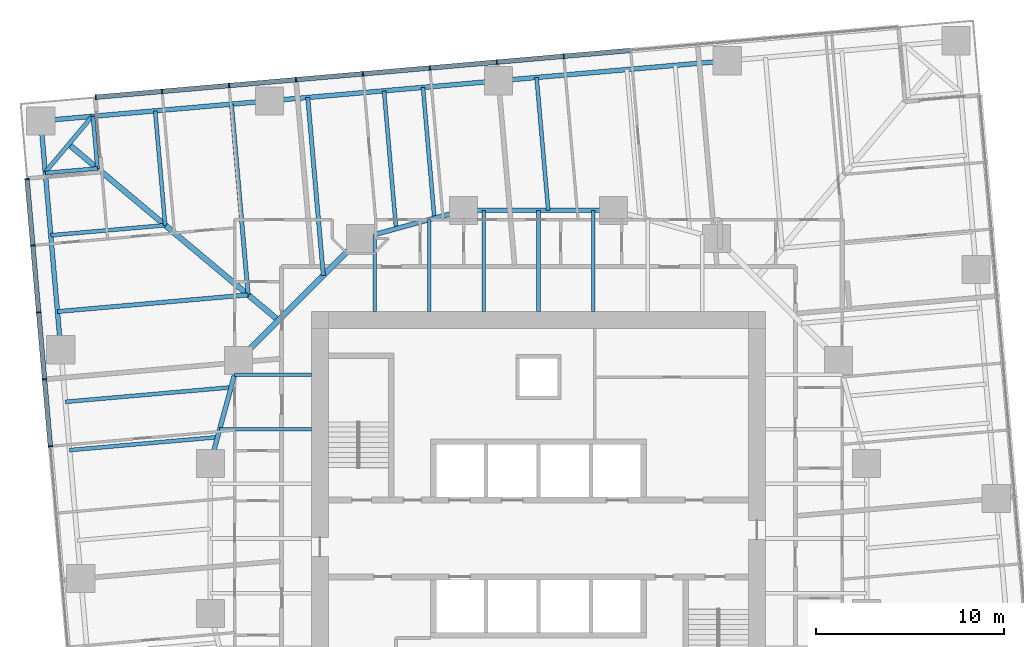
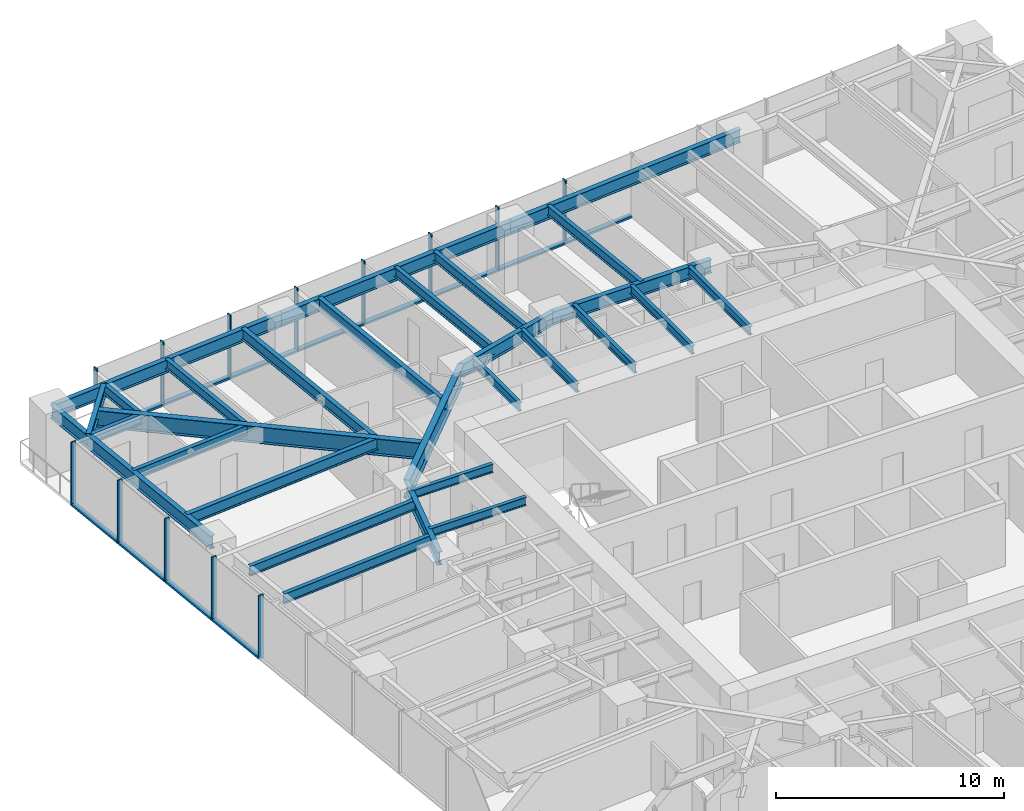
# One storey, part 5 of 14: 29 beams, 25 members, 2 elements without a shape of their own.
"""IFC4 building model written with IfcOpenShell, lengths in metres."""

from ifc_helpers import new_model, si_unit, direction, frame, origin, origin_2d, place, context, subcontext, project, spatial, rectangle, i_section, extrude, material, material_profile, profile_set, type_object, element, aggregate, save


model = new_model("IFC4")

# Units and contexts
model_context = context("Model", 3, precision=1e-05, world=origin(), true_north=direction((0.0, 1.0)))
body_context = subcontext(model_context, "Body", "Model", "MODEL_VIEW")
ifc_project = project(units=[si_unit("LENGTHUNIT", "METRE"), si_unit("AREAUNIT", "SQUARE_METRE"), si_unit("VOLUMEUNIT", "CUBIC_METRE"), si_unit("PLANEANGLEUNIT", "RADIAN"), si_unit("MASSUNIT", "GRAM", prefix="KILO")], contexts=[model_context])

# Site, building, storey
site_placement = place(None, origin())
site = spatial("IfcSite", under=ifc_project, at=site_placement, CompositionType="ELEMENT")
building_placement = place(site_placement, origin())
building = spatial("IfcBuilding", under=site, at=building_placement, Name="Torsade Residences", CompositionType="ELEMENT")
storey_placement = place(building_placement, frame((0.0, 0.0, 60.800048828125)))
storey = spatial("IfcBuildingStorey", under=building, at=storey_placement, Name="L16", CompositionType="ELEMENT", Elevation=60.800048828125)

# Beams
ifc_material_1 = material(Name="Steel grade 300", Category="steel")
ifc_material_profile_1 = material_profile(ifc_material_1, i_section(OverallWidth=0.300048828125, OverallDepth=0.89990234375, WebThickness=0.011962890625, FlangeThickness=0.02490234375, at=origin_2d()), Name="900WB175")
ifc_profile_set_1 = profile_set([ifc_material_profile_1], Name="Steel grade 300")
beam_type_1 = type_object("IfcBeamType", Name="CORNER GIRDER 900WB175", PredefinedType="BEAM", material=ifc_profile_set_1)
beam_1_placement = place(storey_placement, frame((14.947509765625, 51.021484375, 2.800048828125), z_axis=(0.766046281307, -0.642785419012, 0.0), x_axis=(0.642785419012, 0.766046281307, 0.0)))
element("IfcBeam", 1, at=beam_1_placement, inside=storey, type_object=beam_type_1, Name="Corner girder 13 L17", PredefinedType="BEAM", context=body_context, shape_type="SweptSolid", body=[
    extrude(i_section(OverallWidth=0.300048828125, OverallDepth=0.89990234375, WebThickness=0.011962890625, FlangeThickness=0.02490234375, at=origin_2d()), origin(), (0.0, 0.0, 1.0), 14.603515625),
])
ifc_material_2 = material(Name="Steel grade 300", Category="steel")
ifc_material_profile_2 = material_profile(ifc_material_2, i_section(OverallWidth=0.22802734375, OverallDepth=0.60205078125, WebThickness=0.010498046875, FlangeThickness=0.014892578125, FilletRadius=0.013916015625, at=origin_2d()), Name="610UB101")
ifc_profile_set_2 = profile_set([ifc_material_profile_2], Name="Steel grade 300")
beam_type_2 = type_object("IfcBeamType", Name="CORNER TRIMMER 610UB101", PredefinedType="BEAM", material=ifc_profile_set_2)
beam_2_placement = place(storey_placement, frame((13.697509765625, 49.531982421875, 2.948974609375), z_axis=(0.642804819911, 0.766030001697, 0.0), x_axis=(-0.766030001697, 0.642804819911, 0.0)))
element("IfcBeam", 2, at=beam_2_placement, inside=storey, type_object=beam_type_2, Name="Corner trimmer 13 L17", PredefinedType="BEAM", context=body_context, shape_type="SweptSolid", body=[
    extrude(i_section(OverallWidth=0.22802734375, OverallDepth=0.60205078125, WebThickness=0.010498046875, FlangeThickness=0.014892578125, FilletRadius=0.013916015625, at=origin_2d()), origin(), (0.0, 0.0, 1.0), 3.88916015625),
])

# Curtain wall, members
ifc_material_3 = material(Name="Aluminium and glass", Category="aluminium")
curtain_wall_type = type_object("IfcCurtainWallType", Name="FRITTED GLASS CURTAIN WALL LOW ZONE", PredefinedType="NOTDEFINED", material=ifc_material_3)
curtain_wall_1_placement = place(storey_placement, origin())
curtain_wall_1 = element("IfcCurtainWall", 3, at=curtain_wall_1_placement, inside=storey, type_object=curtain_wall_type, Name="Curtain wall L16 face 7", PredefinedType="NOTDEFINED")
ifc_material_4 = material(Name="Aluminium mullion", Category="aluminium")
ifc_material_profile_3 = material_profile(ifc_material_4, rectangle(XDim=0.25, YDim=0.06494140625, at=origin_2d()), Name="CURTAIN WALL MULLION 250x65")
ifc_profile_set_3 = profile_set([ifc_material_profile_3], Name="Aluminium mullion")
member_type_1 = type_object("IfcMemberType", Name="CURTAIN WALL MULLION 250x65", PredefinedType="MULLION", material=ifc_profile_set_3)
member_1_placement = place(storey_placement, frame((41.34716796875, 55.71533203125, 0.0), z_axis=(0.0, 0.0, 1.0), x_axis=(0.087155744208, -0.996194697964, 0.0)))
member_1 = element("IfcMember", 4, at=member_1_placement, type_object=member_type_1, Name="Mullion 6", PredefinedType="MULLION", context=body_context, shape_type="SweptSolid", body=[
    extrude(rectangle(XDim=0.25, YDim=0.06494140625, at=origin_2d()), origin(), (0.0, 0.0, 1.0), 3.39990234375),
])
member_2_placement = place(storey_placement, frame((37.777587890625, 55.403076171875, 0.0), z_axis=(0.0, 0.0, 1.0), x_axis=(0.087155744208, -0.996194697964, 0.0)))
member_2 = element("IfcMember", 5, at=member_2_placement, type_object=member_type_1, Name="Mullion 7", PredefinedType="MULLION", context=body_context, shape_type="SweptSolid", body=[
    extrude(rectangle(XDim=0.25, YDim=0.06494140625, at=origin_2d()), origin(), (0.0, 0.0, 1.0), 3.39990234375),
])
member_3_placement = place(storey_placement, frame((34.207763671875, 55.090576171875, 0.0), z_axis=(0.0, 0.0, 1.0), x_axis=(0.087155744208, -0.996194697964, 0.0)))
member_3 = element("IfcMember", 6, at=member_3_placement, type_object=member_type_1, Name="Mullion 8", PredefinedType="MULLION", context=body_context, shape_type="SweptSolid", body=[
    extrude(rectangle(XDim=0.25, YDim=0.06494140625, at=origin_2d()), origin(), (0.0, 0.0, 1.0), 3.39990234375),
])
member_4_placement = place(storey_placement, frame((30.63818359375, 54.7783203125, 0.0), z_axis=(0.0, 0.0, 1.0), x_axis=(0.087155744208, -0.996194697964, 0.0)))
member_4 = element("IfcMember", 7, at=member_4_placement, type_object=member_type_1, Name="Mullion 9", PredefinedType="MULLION", context=body_context, shape_type="SweptSolid", body=[
    extrude(rectangle(XDim=0.25, YDim=0.06494140625, at=origin_2d()), origin(), (0.0, 0.0, 1.0), 3.39990234375),
])
member_5_placement = place(storey_placement, frame((27.068359375, 54.466064453125, 0.0), z_axis=(0.0, 0.0, 1.0), x_axis=(0.087155744208, -0.996194697964, 0.0)))
member_5 = element("IfcMember", 8, at=member_5_placement, type_object=member_type_1, Name="Mullion 10", PredefinedType="MULLION", context=body_context, shape_type="SweptSolid", body=[
    extrude(rectangle(XDim=0.25, YDim=0.06494140625, at=origin_2d()), origin(), (0.0, 0.0, 1.0), 3.39990234375),
])
member_6_placement = place(storey_placement, frame((23.498779296875, 54.15380859375, 0.0), z_axis=(0.0, 0.0, 1.0), x_axis=(0.087155744208, -0.996194697964, 0.0)))
member_6 = element("IfcMember", 9, at=member_6_placement, type_object=member_type_1, Name="Mullion 11", PredefinedType="MULLION", context=body_context, shape_type="SweptSolid", body=[
    extrude(rectangle(XDim=0.25, YDim=0.06494140625, at=origin_2d()), origin(), (0.0, 0.0, 1.0), 3.39990234375),
])
member_7_placement = place(storey_placement, frame((19.928955078125, 53.84130859375, 0.0), z_axis=(0.0, 0.0, 1.0), x_axis=(0.087155744208, -0.996194697964, 0.0)))
member_7 = element("IfcMember", 10, at=member_7_placement, type_object=member_type_1, Name="Mullion 12", PredefinedType="MULLION", context=body_context, shape_type="SweptSolid", body=[
    extrude(rectangle(XDim=0.25, YDim=0.06494140625, at=origin_2d()), origin(), (0.0, 0.0, 1.0), 3.39990234375),
])
member_8_placement = place(storey_placement, frame((16.3916015625, 53.531982421875, 0.0), z_axis=(0.0, 0.0, 1.0), x_axis=(0.087155744208, -0.996194697964, 0.0)))
member_8 = element("IfcMember", 11, at=member_8_placement, type_object=member_type_1, Name="Mullion 13", PredefinedType="MULLION", context=body_context, shape_type="SweptSolid", body=[
    extrude(rectangle(XDim=0.25, YDim=0.06494140625, at=origin_2d()), origin(), (0.0, 0.0, 1.0), 3.39990234375),
])

curtain_wall_2_placement = place(storey_placement, origin())
curtain_wall_2 = element("IfcCurtainWall", 12, at=curtain_wall_2_placement, inside=storey, type_object=curtain_wall_type, Name="Curtain wall L16 face 10", PredefinedType="NOTDEFINED")
member_9_placement = place(storey_placement, frame((12.72607421875, 49.163330078125, 0.0), z_axis=(0.0, 0.0, 1.0), x_axis=(0.996194697964, 0.087155744208, 0.0)))
member_9 = element("IfcMember", 13, at=member_9_placement, type_object=member_type_1, Name="Mullion 1", PredefinedType="MULLION", context=body_context, shape_type="SweptSolid", body=[
    extrude(rectangle(XDim=0.25, YDim=0.06494140625, at=origin_2d()), origin(), (0.0, 0.0, 1.0), 3.39990234375),
])
member_10_placement = place(storey_placement, frame((13.035400390625, 45.6259765625, 0.0), z_axis=(0.0, 0.0, 1.0), x_axis=(0.996194697964, 0.087155744208, 0.0)))
member_10 = element("IfcMember", 14, at=member_10_placement, type_object=member_type_1, Name="Mullion 2", PredefinedType="MULLION", context=body_context, shape_type="SweptSolid", body=[
    extrude(rectangle(XDim=0.25, YDim=0.06494140625, at=origin_2d()), origin(), (0.0, 0.0, 1.0), 3.39990234375),
])
member_11_placement = place(storey_placement, frame((13.347900390625, 42.056396484375, 0.0), z_axis=(0.0, 0.0, 1.0), x_axis=(0.996194697964, 0.087155744208, 0.0)))
member_11 = element("IfcMember", 15, at=member_11_placement, type_object=member_type_1, Name="Mullion 3", PredefinedType="MULLION", context=body_context, shape_type="SweptSolid", body=[
    extrude(rectangle(XDim=0.25, YDim=0.06494140625, at=origin_2d()), origin(), (0.0, 0.0, 1.0), 3.39990234375),
])
member_12_placement = place(storey_placement, frame((13.66015625, 38.486572265625, 0.0), z_axis=(0.0, 0.0, 1.0), x_axis=(0.996194697964, 0.087155744208, 0.0)))
member_12 = element("IfcMember", 16, at=member_12_placement, type_object=member_type_1, Name="Mullion 4", PredefinedType="MULLION", context=body_context, shape_type="SweptSolid", body=[
    extrude(rectangle(XDim=0.25, YDim=0.06494140625, at=origin_2d()), origin(), (0.0, 0.0, 1.0), 3.39990234375),
])
member_13_placement = place(storey_placement, frame((13.972412109375, 34.9169921875, 0.0), z_axis=(0.0, 0.0, 1.0), x_axis=(0.996194697964, 0.087155744208, 0.0)))
member_13 = element("IfcMember", 17, at=member_13_placement, type_object=member_type_1, Name="Mullion 5", PredefinedType="MULLION", context=body_context, shape_type="SweptSolid", body=[
    extrude(rectangle(XDim=0.25, YDim=0.06494140625, at=origin_2d()), origin(), (0.0, 0.0, 1.0), 3.39990234375),
])

# Member
ifc_material_5 = material(Name="Aluminium transom", Category="aluminium")
ifc_material_profile_4 = material_profile(ifc_material_5, rectangle(XDim=0.25, YDim=0.10009765625, at=origin_2d()), Name="CURTAIN WALL TRANSOM 250x100")
ifc_profile_set_4 = profile_set([ifc_material_profile_4], Name="Aluminium transom")
member_type_2 = type_object("IfcMemberType", Name="CURTAIN WALL TRANSOM 250x100", PredefinedType="USERDEFINED", material=ifc_profile_set_4)
member_14_placement = place(storey_placement, frame((44.884521484375, 56.024658203125, 0.050048828125), z_axis=(-0.996194621295, -0.087156620531, 0.0), x_axis=(0.087156620531, -0.996194621295, 0.0)))
member_14 = element("IfcMember", 18, at=member_14_placement, type_object=member_type_2, Name="Transom 5.1", ObjectType="TRANSOM", PredefinedType="USERDEFINED", context=body_context, shape_type="SweptSolid", body=[
    extrude(rectangle(XDim=0.25, YDim=0.10009765625, at=origin_2d()), origin(), (0.0, 0.0, 1.0), 3.518310546875),
])

member_15_placement = place(storey_placement, frame((41.31494140625, 55.71240234375, 0.050048828125), z_axis=(-0.996195148363, -0.08715059597, 0.0), x_axis=(0.08715059597, -0.996195148363, 0.0)))
member_15 = element("IfcMember", 19, at=member_15_placement, type_object=member_type_2, Name="Transom 6.1", ObjectType="TRANSOM", PredefinedType="USERDEFINED", context=body_context, shape_type="SweptSolid", body=[
    extrude(rectangle(XDim=0.25, YDim=0.10009765625, at=origin_2d()), origin(), (0.0, 0.0, 1.0), 3.5185546875),
])

member_16_placement = place(storey_placement, frame((37.7451171875, 55.400146484375, 0.050048828125), z_axis=(-0.996194621295, -0.087156620531, 0.0), x_axis=(0.087156620531, -0.996194621295, 0.0)))
member_16 = element("IfcMember", 20, at=member_16_placement, type_object=member_type_2, Name="Transom 7.1", ObjectType="TRANSOM", PredefinedType="USERDEFINED", context=body_context, shape_type="SweptSolid", body=[
    extrude(rectangle(XDim=0.25, YDim=0.10009765625, at=origin_2d()), origin(), (0.0, 0.0, 1.0), 3.518310546875),
])

member_17_placement = place(storey_placement, frame((34.175537109375, 55.087890625, 0.050048828125), z_axis=(-0.996195148363, -0.08715059597, 0.0), x_axis=(0.08715059597, -0.996195148363, 0.0)))
member_17 = element("IfcMember", 21, at=member_17_placement, type_object=member_type_2, Name="Transom 8.1", ObjectType="TRANSOM", PredefinedType="USERDEFINED", context=body_context, shape_type="SweptSolid", body=[
    extrude(rectangle(XDim=0.25, YDim=0.10009765625, at=origin_2d()), origin(), (0.0, 0.0, 1.0), 3.5185546875),
])

member_18_placement = place(storey_placement, frame((30.605712890625, 54.775634765625, 0.050048828125), z_axis=(-0.996194621295, -0.087156620531, 0.0), x_axis=(0.087156620531, -0.996194621295, 0.0)))
member_18 = element("IfcMember", 22, at=member_18_placement, type_object=member_type_2, Name="Transom 9.1", ObjectType="TRANSOM", PredefinedType="USERDEFINED", context=body_context, shape_type="SweptSolid", body=[
    extrude(rectangle(XDim=0.25, YDim=0.10009765625, at=origin_2d()), origin(), (0.0, 0.0, 1.0), 3.518310546875),
])

member_19_placement = place(storey_placement, frame((27.0361328125, 54.463134765625, 0.050048828125), z_axis=(-0.996195148363, -0.08715059597, 0.0), x_axis=(0.08715059597, -0.996195148363, 0.0)))
member_19 = element("IfcMember", 23, at=member_19_placement, type_object=member_type_2, Name="Transom 10.1", ObjectType="TRANSOM", PredefinedType="USERDEFINED", context=body_context, shape_type="SweptSolid", body=[
    extrude(rectangle(XDim=0.25, YDim=0.10009765625, at=origin_2d()), origin(), (0.0, 0.0, 1.0), 3.5185546875),
])

member_20_placement = place(storey_placement, frame((23.46630859375, 54.15087890625, 0.050048828125), z_axis=(-0.996194621295, -0.087156620531, 0.0), x_axis=(0.087156620531, -0.996194621295, 0.0)))
member_20 = element("IfcMember", 24, at=member_20_placement, type_object=member_type_2, Name="Transom 11.1", ObjectType="TRANSOM", PredefinedType="USERDEFINED", context=body_context, shape_type="SweptSolid", body=[
    extrude(rectangle(XDim=0.25, YDim=0.10009765625, at=origin_2d()), origin(), (0.0, 0.0, 1.0), 3.518310546875),
])

member_21_placement = place(storey_placement, frame((19.896728515625, 53.838623046875, 0.050048828125), z_axis=(-0.996191284475, -0.08719475177, 0.0), x_axis=(0.08719475177, -0.996191284475, 0.0)))
member_21 = element("IfcMember", 25, at=member_21_placement, type_object=member_type_2, Name="Transom 12.1", ObjectType="TRANSOM", PredefinedType="USERDEFINED", context=body_context, shape_type="SweptSolid", body=[
    extrude(rectangle(XDim=0.25, YDim=0.10009765625, at=origin_2d()), origin(), (0.0, 0.0, 1.0), 3.48583984375),
])

aggregate(curtain_wall_1, [member_1, member_2, member_3, member_4, member_5, member_6, member_7, member_8, member_14, member_15, member_16, member_17, member_18, member_19, member_20, member_21])

member_22_placement = place(storey_placement, frame((12.728759765625, 49.130859375, 0.050048828125), z_axis=(0.0872008357, -0.996190751941, 0.0), x_axis=(0.996190751941, 0.0872008357, 0.0)))
member_22 = element("IfcMember", 26, at=member_22_placement, type_object=member_type_2, Name="Transom 1.1", ObjectType="TRANSOM", PredefinedType="USERDEFINED", context=body_context, shape_type="SweptSolid", body=[
    extrude(rectangle(XDim=0.25, YDim=0.10009765625, at=origin_2d()), origin(), (0.0, 0.0, 1.0), 3.485595703125),
])

member_23_placement = place(storey_placement, frame((13.038330078125, 45.59375, 0.050048828125), z_axis=(0.08715059597, -0.996195148363, 0.0), x_axis=(0.996195148363, 0.08715059597, 0.0)))
member_23 = element("IfcMember", 27, at=member_23_placement, type_object=member_type_2, Name="Transom 2.1", ObjectType="TRANSOM", PredefinedType="USERDEFINED", context=body_context, shape_type="SweptSolid", body=[
    extrude(rectangle(XDim=0.25, YDim=0.10009765625, at=origin_2d()), origin(), (0.0, 0.0, 1.0), 3.5185546875),
])

member_24_placement = place(storey_placement, frame((13.3505859375, 42.02392578125, 0.050048828125), z_axis=(0.087156620531, -0.996194621295, 0.0), x_axis=(0.996194621295, 0.087156620531, 0.0)))
member_24 = element("IfcMember", 28, at=member_24_placement, type_object=member_type_2, Name="Transom 3.1", ObjectType="TRANSOM", PredefinedType="USERDEFINED", context=body_context, shape_type="SweptSolid", body=[
    extrude(rectangle(XDim=0.25, YDim=0.10009765625, at=origin_2d()), origin(), (0.0, 0.0, 1.0), 3.518310546875),
])

member_25_placement = place(storey_placement, frame((13.662841796875, 38.454345703125, 0.050048828125), z_axis=(0.08715059597, -0.996195148363, 0.0), x_axis=(0.996195148363, 0.08715059597, 0.0)))
member_25 = element("IfcMember", 29, at=member_25_placement, type_object=member_type_2, Name="Transom 4.1", ObjectType="TRANSOM", PredefinedType="USERDEFINED", context=body_context, shape_type="SweptSolid", body=[
    extrude(rectangle(XDim=0.25, YDim=0.10009765625, at=origin_2d()), origin(), (0.0, 0.0, 1.0), 3.5185546875),
])

aggregate(curtain_wall_2, [member_9, member_10, member_11, member_12, member_13, member_22, member_23, member_24, member_25])

# Beams
ifc_material_6 = material(Name="Steel grade 300", Category="steel")
ifc_material_profile_5 = material_profile(ifc_material_6, i_section(OverallWidth=0.25, OverallDepth=0.699951171875, WebThickness=0.010009765625, FlangeThickness=0.02001953125, at=origin_2d()), Name="700WB130")
ifc_profile_set_5 = profile_set([ifc_material_profile_5], Name="Steel grade 300")
beam_type_3 = type_object("IfcBeamType", Name="EDGE BEAM 700WB130", PredefinedType="SPANDREL", material=ifc_profile_set_5)
for number, where, z_axis, x_axis, name in (
    (30, (50.068115234375, 55.474365234375, 2.89990234375), (-0.996194907201, -0.08715335259, 0.0), (0.08715335259, -0.996194907201, 0.0), "Edge beam 10 L17"),
    (31, (37.86474609375, 54.40673828125, 2.89990234375), (-0.996194907201, -0.08715335259, 0.0), (0.08715335259, -0.996194907201, 0.0), "Edge beam 11 L17"),
    (32, (25.661376953125, 53.339111328125, 2.89990234375), (-0.996194907201, -0.08715335259, 0.0), (0.08715335259, -0.996194907201, 0.0), "Edge beam 12 L17"),
    (33, (13.4580078125, 52.271484375, 2.89990234375), (0.08715335259, -0.996194907201, 0.0), (0.996194907201, 0.08715335259, 0.0), "Edge beam 13 L17"),
):
    element("IfcBeam", number, at=place(storey_placement, frame(where, z_axis=z_axis, x_axis=x_axis)), inside=storey, type_object=beam_type_3, Name=name, PredefinedType="SPANDREL", context=body_context, shape_type="SweptSolid", body=[
        extrude(i_section(OverallWidth=0.25, OverallDepth=0.699951171875, WebThickness=0.010009765625, FlangeThickness=0.02001953125, at=origin_2d()), origin(), (0.0, 0.0, 1.0), 12.25),
    ])
ifc_material_7 = material(Name="Steel grade 300", Category="steel")
ifc_material_profile_6 = material_profile(ifc_material_7, i_section(OverallWidth=0.18994140625, OverallDepth=0.4541015625, WebThickness=0.008544921875, FlangeThickness=0.0126953125, FilletRadius=0.011474609375, at=origin_2d()), Name="460UB67.1")
ifc_profile_set_6 = profile_set([ifc_material_profile_6], Name="Steel grade 300")
beam_type_4 = type_object("IfcBeamType", Name="INNER FLOOR BEAM 460UB67.1", PredefinedType="JOIST", material=ifc_profile_set_6)
beam_3_placement = place(storey_placement, frame((31.262451171875, 42.10009765625, 3.02294921875), z_axis=(0.0, 1.0, 0.0), x_axis=(-1.0, 0.0, 0.0)))
element("IfcBeam", 34, at=beam_3_placement, inside=storey, type_object=beam_type_4, Name="Inner floor beam IN01 L17", PredefinedType="JOIST", context=body_context, shape_type="SweptSolid", body=[
    extrude(i_section(OverallWidth=0.18994140625, OverallDepth=0.4541015625, WebThickness=0.008544921875, FlangeThickness=0.0126953125, FilletRadius=0.011474609375, at=origin_2d()), origin(), (0.0, 0.0, 1.0), 4.10791015625),
])
beam_4_placement = place(storey_placement, frame((34.175048828125, 42.10009765625, 3.02294921875), z_axis=(0.0, 1.0, 0.0), x_axis=(-1.0, 0.0, 0.0)))
element("IfcBeam", 35, at=beam_4_placement, inside=storey, type_object=beam_type_4, Name="Inner floor beam IN02 L17", PredefinedType="JOIST", context=body_context, shape_type="SweptSolid", body=[
    extrude(i_section(OverallWidth=0.18994140625, OverallDepth=0.4541015625, WebThickness=0.008544921875, FlangeThickness=0.0126953125, FilletRadius=0.011474609375, at=origin_2d()), origin(), (0.0, 0.0, 1.0), 4.902099609375),
])
for number, where, z_axis, x_axis, name in (
    (36, (37.08740234375, 42.10009765625, 3.02294921875), (0.0, 1.0, 0.0), (-1.0, 0.0, 0.0), "Inner floor beam IN03 L17"),
    (37, (40.0, 42.10009765625, 3.02294921875), (0.0, 1.0, 0.0), (-1.0, 0.0, 0.0), "Inner floor beam IN04 L17"),
    (38, (42.91259765625, 42.10009765625, 3.02294921875), (0.0, 1.0, 0.0), (-1.0, 0.0, 0.0), "Inner floor beam IN05 L17"),
):
    element("IfcBeam", number, at=place(storey_placement, frame(where, z_axis=z_axis, x_axis=x_axis)), inside=storey, type_object=beam_type_4, Name=name, PredefinedType="JOIST", context=body_context, shape_type="SweptSolid", body=[
        extrude(i_section(OverallWidth=0.18994140625, OverallDepth=0.4541015625, WebThickness=0.008544921875, FlangeThickness=0.0126953125, FilletRadius=0.011474609375, at=origin_2d()), origin(), (0.0, 0.0, 1.0), 5.39990234375),
    ])
beam_5_placement = place(storey_placement, frame((27.89990234375, 38.737548828125, 3.02294921875), z_axis=(-1.0, 0.0, 0.0), x_axis=(0.0, -1.0, 0.0)))
element("IfcBeam", 39, at=beam_5_placement, inside=storey, type_object=beam_type_4, Name="Inner floor beam IW01 L17", PredefinedType="JOIST", context=body_context, shape_type="SweptSolid", body=[
    extrude(i_section(OverallWidth=0.18994140625, OverallDepth=0.4541015625, WebThickness=0.008544921875, FlangeThickness=0.0126953125, FilletRadius=0.011474609375, at=origin_2d()), origin(), (0.0, 0.0, 1.0), 4.10791015625),
])
beam_6_placement = place(storey_placement, frame((27.89990234375, 35.824951171875, 3.02294921875), z_axis=(-1.0, 0.0, 0.0), x_axis=(0.0, -1.0, 0.0)))
element("IfcBeam", 40, at=beam_6_placement, inside=storey, type_object=beam_type_4, Name="Inner floor beam IW02 L17", PredefinedType="JOIST", context=body_context, shape_type="SweptSolid", body=[
    extrude(i_section(OverallWidth=0.18994140625, OverallDepth=0.4541015625, WebThickness=0.008544921875, FlangeThickness=0.0126953125, FilletRadius=0.011474609375, at=origin_2d()), origin(), (0.0, 0.0, 1.0), 4.902099609375),
])
ifc_material_8 = material(Name="Steel grade 300", Category="steel")
ifc_material_profile_7 = material_profile(ifc_material_8, i_section(OverallWidth=0.300048828125, OverallDepth=1.0, WebThickness=0.01611328125, FlangeThickness=0.028076171875, at=origin_2d()), Name="1000WB215")
ifc_profile_set_7 = profile_set([ifc_material_profile_7], Name="Steel grade 300")
beam_type_5 = type_object("IfcBeamType", Name="RING CORNER GIRDER 1000WB215", PredefinedType="BEAM", material=ifc_profile_set_7)
beam_7_placement = place(storey_placement, frame((30.5, 46.0, 2.75), z_axis=(-0.707106781187, -0.707106781187, 0.0), x_axis=(0.707106781187, -0.707106781187, 0.0)))
element("IfcBeam", 41, at=beam_7_placement, inside=storey, type_object=beam_type_5, Name="Ring girder IR07 L17", PredefinedType="BEAM", context=body_context, shape_type="SweptSolid", body=[
    extrude(i_section(OverallWidth=0.300048828125, OverallDepth=1.0, WebThickness=0.01611328125, FlangeThickness=0.028076171875, at=origin_2d()), origin(), (0.0, 0.0, 1.0), 9.1923828125),
])
ifc_material_9 = material(Name="Steel grade 300", Category="steel")
ifc_material_profile_8 = material_profile(ifc_material_9, i_section(OverallWidth=0.25, OverallDepth=0.699951171875, WebThickness=0.010009765625, FlangeThickness=0.02001953125, at=origin_2d()), Name="700WB130")
ifc_profile_set_8 = profile_set([ifc_material_profile_8], Name="Steel grade 300")
beam_type_6 = type_object("IfcBeamType", Name="RING GIRDER 700WB130", PredefinedType="BEAM", material=ifc_profile_set_8)
beam_8_placement = place(storey_placement, frame((44.0, 47.5, 2.89990234375), z_axis=(-1.0, 0.0, 0.0), x_axis=(0.0, -1.0, 0.0)))
element("IfcBeam", 42, at=beam_8_placement, inside=storey, type_object=beam_type_6, Name="Ring girder IR05 L17", PredefinedType="BEAM", context=body_context, shape_type="SweptSolid", body=[
    extrude(i_section(OverallWidth=0.25, OverallDepth=0.699951171875, WebThickness=0.010009765625, FlangeThickness=0.02001953125, at=origin_2d()), origin(), (0.0, 0.0, 1.0), 8.0),
])
for number, where, z_axis, x_axis, name in (
    (43, (36.0, 47.5, 2.89990234375), (-0.964763821238, -0.263117405792, 0.0), (0.263117405792, -0.964763821238, 0.0), "Ring girder IR06 L17"),
    (44, (24.0, 39.5, 2.89990234375), (-0.263117405792, -0.964763821238, 0.0), (0.964763821238, -0.263117405792, 0.0), "Ring girder IR08 L17"),
):
    element("IfcBeam", number, at=place(storey_placement, frame(where, z_axis=z_axis, x_axis=x_axis)), inside=storey, type_object=beam_type_6, Name=name, PredefinedType="BEAM", context=body_context, shape_type="SweptSolid", body=[
        extrude(i_section(OverallWidth=0.25, OverallDepth=0.699951171875, WebThickness=0.010009765625, FlangeThickness=0.02001953125, at=origin_2d()), origin(), (0.0, 0.0, 1.0), 5.700927734375),
    ])
ifc_material_10 = material(Name="Steel grade 300", Category="steel")
ifc_material_profile_9 = material_profile(ifc_material_10, i_section(OverallWidth=0.208984375, OverallDepth=0.528076171875, WebThickness=0.009521484375, FlangeThickness=0.01318359375, FilletRadius=0.013916015625, at=origin_2d()), Name="530UB82.0")
ifc_profile_set_9 = profile_set([ifc_material_profile_9], Name="Steel grade 300")
beam_type_7 = type_object("IfcBeamType", Name="SECONDARY BEAM 530UB82.0", PredefinedType="JOIST", material=ifc_profile_set_9)
beam_9_placement = place(storey_placement, frame((39.898681640625, 54.584716796875, 2.98583984375), z_axis=(0.087127345813, -0.996197182094, 0.0), x_axis=(0.996197182094, 0.087127345813, 0.0)))
element("IfcBeam", 45, at=beam_9_placement, inside=storey, type_object=beam_type_7, Name="Floor beam FN06 L17", PredefinedType="JOIST", context=body_context, shape_type="SweptSolid", body=[
    extrude(i_section(OverallWidth=0.208984375, OverallDepth=0.528076171875, WebThickness=0.009521484375, FlangeThickness=0.01318359375, FilletRadius=0.013916015625, at=origin_2d()), origin(), (0.0, 0.0, 1.0), 7.11181640625),
])
beam_10_placement = place(storey_placement, frame((33.83837890625, 54.054443359375, 2.98583984375), z_axis=(0.087175598142, -0.99619296077, 0.0), x_axis=(0.99619296077, 0.087175598142, 0.0)))
element("IfcBeam", 46, at=beam_10_placement, inside=storey, type_object=beam_type_7, Name="Floor beam FN07 L17", PredefinedType="JOIST", context=body_context, shape_type="SweptSolid", body=[
    extrude(i_section(OverallWidth=0.208984375, OverallDepth=0.528076171875, WebThickness=0.009521484375, FlangeThickness=0.01318359375, FilletRadius=0.013916015625, at=origin_2d()), origin(), (0.0, 0.0, 1.0), 7.004150390625),
])
beam_11_placement = place(storey_placement, frame((31.762939453125, 53.873046875, 2.98583984375), z_axis=(0.087156282128, -0.996194650902, 0.0), x_axis=(0.996194650902, 0.087156282128, 0.0)))
element("IfcBeam", 47, at=beam_11_placement, inside=storey, type_object=beam_type_7, Name="Floor beam FN08 L17", PredefinedType="JOIST", context=body_context, shape_type="SweptSolid", body=[
    extrude(i_section(OverallWidth=0.208984375, OverallDepth=0.528076171875, WebThickness=0.009521484375, FlangeThickness=0.01318359375, FilletRadius=0.013916015625, at=origin_2d()), origin(), (0.0, 0.0, 1.0), 7.381103515625),
])
beam_12_placement = place(storey_placement, frame((19.5595703125, 52.80517578125, 2.98583984375), z_axis=(0.087174861801, -0.996193025206, 0.0), x_axis=(0.996193025206, 0.087174861801, 0.0)))
element("IfcBeam", 48, at=beam_12_placement, inside=storey, type_object=beam_type_7, Name="Floor beam FN11 L17", PredefinedType="JOIST", context=body_context, shape_type="SweptSolid", body=[
    extrude(i_section(OverallWidth=0.208984375, OverallDepth=0.528076171875, WebThickness=0.009521484375, FlangeThickness=0.01318359375, FilletRadius=0.013916015625, at=origin_2d()), origin(), (0.0, 0.0, 1.0), 6.125),
])
for number, where, z_axis, x_axis, name in (
    (49, (16.239013671875, 52.5146484375, 2.98583984375), (0.087105111923, -0.996199126418, 0.0), (0.996199126418, 0.087105111923, 0.0), "Floor beam FN12 L17"),
    (50, (13.701171875, 49.490478515625, 2.98583984375), (0.996199126418, 0.087105111923, 0.0), (-0.087105111923, 0.996199126418, 0.0), "Floor beam FW01 L17"),
):
    element("IfcBeam", number, at=place(storey_placement, frame(where, z_axis=z_axis, x_axis=x_axis)), inside=storey, type_object=beam_type_7, Name=name, PredefinedType="JOIST", context=body_context, shape_type="SweptSolid", body=[
        extrude(i_section(OverallWidth=0.208984375, OverallDepth=0.528076171875, WebThickness=0.009521484375, FlangeThickness=0.01318359375, FilletRadius=0.013916015625, at=origin_2d()), origin(), (0.0, 0.0, 1.0), 2.79150390625),
    ])
beam_13_placement = place(storey_placement, frame((13.99169921875, 46.169677734375, 2.98583984375), z_axis=(0.996193328106, 0.087171400335, 0.0), x_axis=(-0.087171400335, 0.996193328106, 0.0)))
element("IfcBeam", 51, at=beam_13_placement, inside=storey, type_object=beam_type_7, Name="Floor beam FW02 L17", PredefinedType="JOIST", context=body_context, shape_type="SweptSolid", body=[
    extrude(i_section(OverallWidth=0.208984375, OverallDepth=0.528076171875, WebThickness=0.009521484375, FlangeThickness=0.01318359375, FilletRadius=0.013916015625, at=origin_2d()), origin(), (0.0, 0.0, 1.0), 6.125244140625),
])
beam_14_placement = place(storey_placement, frame((14.768798828125, 37.287109375, 2.98583984375), z_axis=(0.996195539225, 0.08714612802, 0.0), x_axis=(-0.08714612802, 0.996195539225, 0.0)))
element("IfcBeam", 52, at=beam_14_placement, inside=storey, type_object=beam_type_7, Name="Floor beam FW04 L17", PredefinedType="JOIST", context=body_context, shape_type="SweptSolid", body=[
    extrude(i_section(OverallWidth=0.208984375, OverallDepth=0.528076171875, WebThickness=0.009521484375, FlangeThickness=0.01318359375, FilletRadius=0.013916015625, at=origin_2d()), origin(), (0.0, 0.0, 1.0), 8.872314453125),
])
beam_15_placement = place(storey_placement, frame((14.994140625, 34.713623046875, 2.98583984375), z_axis=(0.996194520605, 0.087157771408, 0.0), x_axis=(-0.087157771408, 0.996194520605, 0.0)))
element("IfcBeam", 53, at=beam_15_placement, inside=storey, type_object=beam_type_7, Name="Floor beam FW05 L17", PredefinedType="JOIST", context=body_context, shape_type="SweptSolid", body=[
    extrude(i_section(OverallWidth=0.208984375, OverallDepth=0.528076171875, WebThickness=0.009521484375, FlangeThickness=0.01318359375, FilletRadius=0.013916015625, at=origin_2d()), origin(), (0.0, 0.0, 1.0), 7.918701171875),
])
ifc_material_11 = material(Name="Steel grade 300", Category="steel")
ifc_material_profile_10 = material_profile(ifc_material_11, i_section(OverallWidth=0.22900390625, OverallDepth=0.612060546875, WebThickness=0.011962890625, FlangeThickness=0.01953125, FilletRadius=0.013916015625, at=origin_2d()), Name="610UB125")
ifc_profile_set_10 = profile_set([ifc_material_profile_10], Name="Steel grade 300")
beam_type_8 = type_object("IfcBeamType", Name="SECONDARY BEAM 610UB125", PredefinedType="JOIST", material=ifc_profile_set_10)
beam_16_placement = place(storey_placement, frame((27.6953125, 53.51708984375, 2.94384765625), z_axis=(0.087148195942, -0.996195358323, 0.0), x_axis=(0.996195358323, 0.087148195942, 0.0)))
element("IfcBeam", 54, at=beam_16_placement, inside=storey, type_object=beam_type_8, Name="Floor beam FN09 L17", PredefinedType="JOIST", context=body_context, shape_type="SweptSolid", body=[
    extrude(i_section(OverallWidth=0.22900390625, OverallDepth=0.612060546875, WebThickness=0.011962890625, FlangeThickness=0.01953125, FilletRadius=0.013916015625, at=origin_2d()), origin(), (0.0, 0.0, 1.0), 9.527587890625),
])
for number, where, z_axis, x_axis, name in (
    (55, (23.62744140625, 53.1611328125, 2.94384765625), (0.087149742944, -0.996195222988, 0.0), (0.996195222988, 0.087149742944, 0.0), "Floor beam FN10 L17"),
    (56, (14.34765625, 42.10205078125, 2.94384765625), (0.996195222988, 0.087149742944, 0.0), (-0.087149742944, 0.996195222988, 0.0), "Floor beam FW03 L17"),
):
    element("IfcBeam", number, at=place(storey_placement, frame(where, z_axis=z_axis, x_axis=x_axis)), inside=storey, type_object=beam_type_8, Name=name, PredefinedType="JOIST", context=body_context, shape_type="SweptSolid", body=[
        extrude(i_section(OverallWidth=0.22900390625, OverallDepth=0.612060546875, WebThickness=0.011962890625, FlangeThickness=0.01953125, FilletRadius=0.013916015625, at=origin_2d()), origin(), (0.0, 0.0, 1.0), 10.208251953125),
    ])

save(model, "model.ifc")
